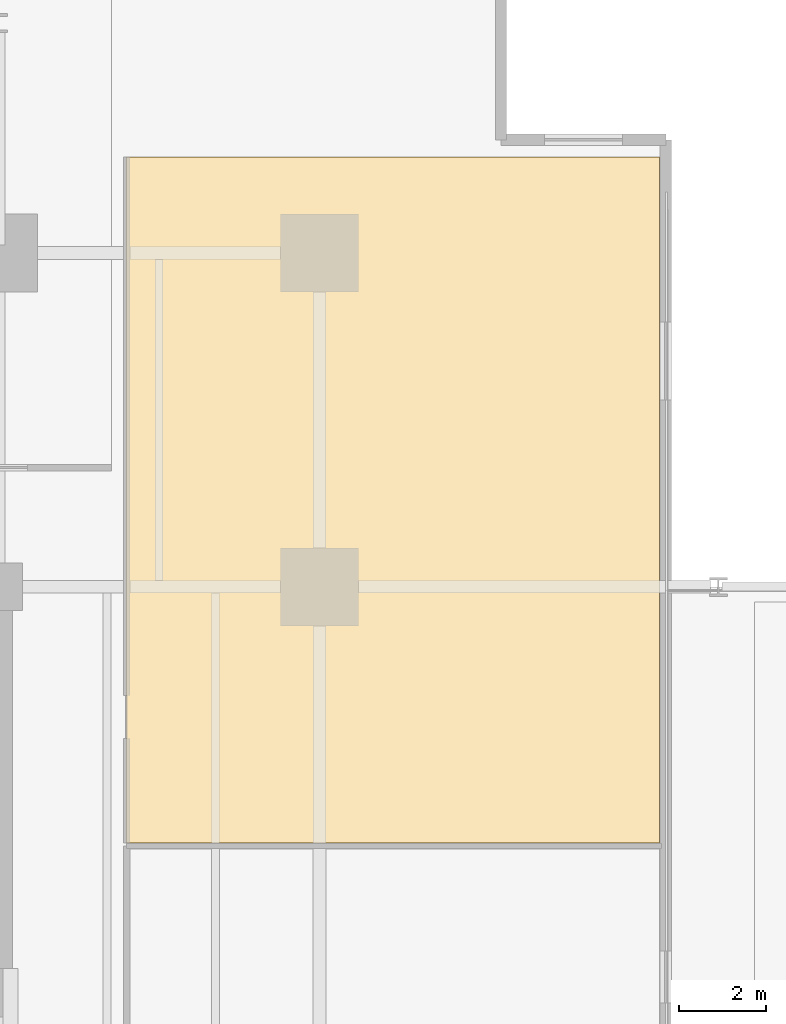
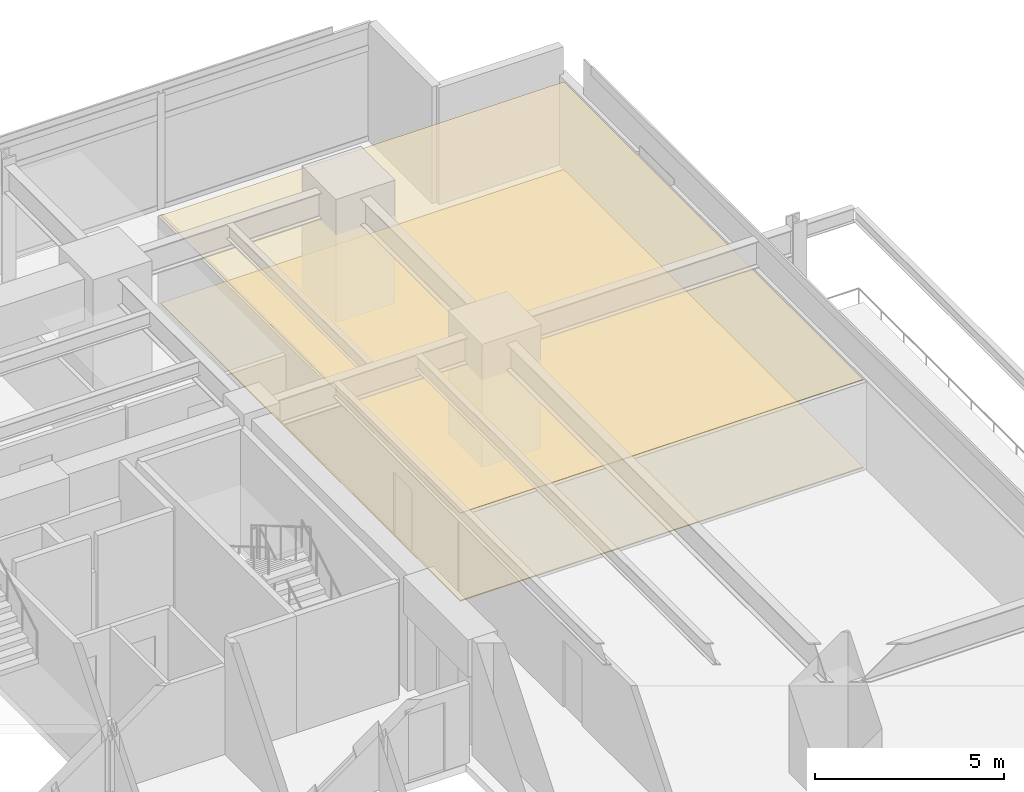
# One storey, part 24 of 24: 2 coverings.
"""IFC4 building model written with IfcOpenShell, lengths in metres."""

import ifcopenshell
import ifcopenshell.guid

model = None  # the IFC model being written
_history = None  # IfcOwnerHistory: only IFC2X3 demands one
_inside = {}  # id of a spatial element -> (the spatial element, [elements in it])
_under = {}  # id of a project, library or spatial element -> (it, [spatial elements below it])
_declared = {}  # id of a project -> (the project, [libraries it declares])
_typed = {}  # id of a type object -> (the type object, [elements of that type])
_made_of = {}  # id of a material, layer set ... -> (it, [elements and type objects made of it])


def new_model(schema):
    """Start an empty IFC model of exactly this schema.

    Asked for "IFC4X3", IfcOpenShell would pick the latest addendum, in which some entities
    have other attributes; the version numbers below select the first issue.
    IFC2X3 requires an IfcOwnerHistory on every rooted entity: one is made here for all.
    """
    global model, _history
    if schema == "IFC4X3":
        model = ifcopenshell.file(schema_version=(4, 3, 0, 0))
    else:
        model = ifcopenshell.file(schema=schema)
    _inside.clear()
    _under.clear()
    _declared.clear()
    _typed.clear()
    _made_of.clear()
    _history = None
    if model.schema == "IFC2X3":
        org = make("IfcOrganization", Name="unknown")
        user = make(
            "IfcPersonAndOrganization",
            ThePerson=make("IfcPerson", FamilyName="unknown"),
            TheOrganization=org,
        )
        app = make(
            "IfcApplication",
            ApplicationDeveloper=org,
            Version="unknown",
            ApplicationFullName="unknown",
            ApplicationIdentifier="unknown",
        )
        _history = make(
            "IfcOwnerHistory",
            OwningUser=user,
            OwningApplication=app,
            ChangeAction="ADDED",
            CreationDate=0,
        )
    return model


def make(cls, **values):
    """One entity of the class cls with the attributes given. An attribute that is None is left unset."""
    return model.create_entity(
        cls, **{name: value for name, value in values.items() if value is not None}
    )


def rooted(cls, **values):
    """An entity with a GlobalId (a new one), such as an element, a storey or a relation."""
    return make(cls, GlobalId=ifcopenshell.guid.new(), OwnerHistory=_history, **values)


def si_unit(unit_type, name, prefix=None):
    """IfcSIUnit, for example si_unit("LENGTHUNIT", "METRE", prefix="MILLI")."""
    return make("IfcSIUnit", UnitType=unit_type, Prefix=prefix, Name=name)


def assignment(units):
    """IfcUnitAssignment: the units of a project."""
    return None if units is None else make("IfcUnitAssignment", Units=units)


def point(xyz):
    """IfcCartesianPoint."""
    return None if xyz is None else make("IfcCartesianPoint", Coordinates=xyz)


def direction(xyz):
    """IfcDirection."""
    return None if xyz is None else make("IfcDirection", DirectionRatios=xyz)


def frame(location, z_axis=None, x_axis=None):
    """IfcAxis2Placement3D, a coordinate frame: its origin and axes. An axis left out is left unset."""
    return make(
        "IfcAxis2Placement3D",
        Location=point(location),
        Axis=direction(z_axis),
        RefDirection=direction(x_axis),
    )


def origin():
    """The frame at (0, 0, 0) with its axes left unset."""
    return frame((0.0, 0.0, 0.0))


def place(relative_to, where):
    """IfcLocalPlacement: puts the frame where relative to a parent placement (None: the world)."""
    return make(
        "IfcLocalPlacement", PlacementRelTo=relative_to, RelativePlacement=where
    )


def context(
    kind, dimensions, precision=None, world=None, true_north=None, identifier=None
):
    """IfcGeometricRepresentationContext, for example the 3D "Model" context."""
    return make(
        "IfcGeometricRepresentationContext",
        ContextIdentifier=identifier,
        ContextType=kind,
        CoordinateSpaceDimension=dimensions,
        Precision=precision,
        WorldCoordinateSystem=world,
        TrueNorth=true_north,
    )


def subcontext(parent, identifier, kind, view, scale=None):
    """IfcGeometricRepresentationSubContext, for example "Body" below "Model"."""
    return make(
        "IfcGeometricRepresentationSubContext",
        ContextIdentifier=identifier,
        ContextType=kind,
        ParentContext=parent,
        TargetScale=scale,
        TargetView=view,
    )


def project(units=None, contexts=None):
    """IfcProject with its units and contexts."""
    return rooted(
        "IfcProject",
        Name="project",
        RepresentationContexts=contexts,
        UnitsInContext=assignment(units),
    )


def spatial(cls, under=None, at=None, **own):
    """A site, building, storey or space (cls), placed at a placement, below another one or the project."""
    s = rooted(cls, ObjectPlacement=at, **own)
    if under is not None:
        _under.setdefault(under.id(), (under, []))[1].append(s)
    return s


def polyline(points):
    """IfcPolyline through the points."""
    return make("IfcPolyline", Points=[point(p) for p in points])


def outline(outer, holes=None, kind="AREA"):
    """IfcArbitraryClosedProfileDef: a profile drawn as a closed curve; with holes, ...WithVoids."""
    if holes is None:
        return make("IfcArbitraryClosedProfileDef", ProfileType=kind, OuterCurve=outer)
    return make(
        "IfcArbitraryProfileDefWithVoids",
        ProfileType=kind,
        OuterCurve=outer,
        InnerCurves=holes,
    )


def extrude(swept, where, along, depth):
    """IfcExtrudedAreaSolid: the profile swept, set in the frame where, extruded along a direction by depth."""
    return make(
        "IfcExtrudedAreaSolid",
        SweptArea=swept,
        Position=where,
        ExtrudedDirection=direction(along),
        Depth=depth,
    )


def shape(context_of_items, identifier, shape_type, items):
    """IfcShapeRepresentation: the items that make up one representation, for example the "Body"."""
    return make(
        "IfcShapeRepresentation",
        ContextOfItems=context_of_items,
        RepresentationIdentifier=identifier,
        RepresentationType=shape_type,
        Items=items,
    )


def material(Name=None, Category=None):
    """IfcMaterial."""
    return make("IfcMaterial", Name=Name, Category=Category)


def layer(
    of_material, thickness, ventilated=None, Name=None, Category=None, Priority=None
):
    """IfcMaterialLayer: one layer of a wall or slab, of a material (None: an air gap)."""
    return make(
        "IfcMaterialLayer",
        Material=of_material,
        LayerThickness=thickness,
        IsVentilated=ventilated,
        Name=Name,
        Category=Category,
        Priority=Priority,
    )


def layer_set(layers, Name=None):
    """IfcMaterialLayerSet."""
    return make("IfcMaterialLayerSet", MaterialLayers=layers, LayerSetName=Name)


def made_of(thing, what):
    """Note that an element or type object is made of a material, layer set ...; save() writes the relation."""
    if what is not None:
        _made_of.setdefault(what.id(), (what, []))[1].append(thing)
    return thing


def type_object(cls, material=None, **own):
    """A type object (cls), such as IfcWallType, which elements share."""
    return made_of(rooted(cls, **own), material)


def element(
    cls,
    number,
    at=None,
    inside=None,
    cuts=None,
    type_object=None,
    material=None,
    context=None,
    identifier="Body",
    shape_type=None,
    held_by="IfcProductDefinitionShape",
    body=None,
    shapes=None,
    **own,
):
    """One element of the class cls, such as IfcWall. Its Tag is "e" and its number.

    at: its placement. inside: the storey or other place that contains it. cuts: it is an
    opening in that element (IfcRelVoidsElement). A single representation is given by context,
    identifier, shape_type and body (its items); several are given by shapes. held_by: the class
    of the entity that holds the representations. save() writes the other relations.
    """
    e = rooted(cls, Tag="e%d" % number, ObjectPlacement=at, **own)
    if body is not None:
        shapes = [shape(context, identifier, shape_type, body)]
    if shapes is not None:
        e.Representation = make(held_by, Representations=shapes)
    if inside is not None:
        _inside.setdefault(inside.id(), (inside, []))[1].append(e)
    if cuts is not None:
        rooted(
            "IfcRelVoidsElement", RelatingBuildingElement=cuts, RelatedOpeningElement=e
        )
    if type_object is not None:
        _typed.setdefault(type_object.id(), (type_object, []))[1].append(e)
    return made_of(e, material)


def aggregate(whole, parts):
    """IfcRelAggregates: a whole, such as a stair, and the parts it consists of."""
    return rooted("IfcRelAggregates", RelatingObject=whole, RelatedObjects=parts)


def save(model, path):
    """Write the relations noted so far, then the file.

    IfcRelAggregates (storeys below a building ...), IfcRelContainedInSpatialStructure (elements
    in a storey), IfcRelDefinesByType, IfcRelAssociatesMaterial and IfcRelDeclares: one each for
    every whole, place, type object, material and project.
    """
    for whole, parts in _under.values():
        aggregate(whole, parts)
    for where, things in _inside.values():
        rooted(
            "IfcRelContainedInSpatialStructure",
            RelatedElements=things,
            RelatingStructure=where,
        )
    for kind, things in _typed.values():
        rooted("IfcRelDefinesByType", RelatedObjects=things, RelatingType=kind)
    for what, things in _made_of.values():
        rooted("IfcRelAssociatesMaterial", RelatedObjects=things, RelatingMaterial=what)
    for by, libraries in _declared.values():
        rooted("IfcRelDeclares", RelatingContext=by, RelatedDefinitions=libraries)
    model.write(path)


model = new_model("IFC4")

# Units and contexts
model_context = context("Model", 3, precision=1e-05, world=origin(), true_north=direction((0.0, 1.0)))
body_context = subcontext(model_context, "Body", "Model", "MODEL_VIEW")
ifc_project = project(units=[si_unit("LENGTHUNIT", "METRE"), si_unit("AREAUNIT", "SQUARE_METRE"), si_unit("VOLUMEUNIT", "CUBIC_METRE"), si_unit("PLANEANGLEUNIT", "RADIAN"), si_unit("MASSUNIT", "GRAM", prefix="KILO")], contexts=[model_context])

# Site, building, storey
site_placement = place(None, origin())
site = spatial("IfcSite", under=ifc_project, at=site_placement, CompositionType="ELEMENT")
building_placement = place(site_placement, origin())
building = spatial("IfcBuilding", under=site, at=building_placement, Name="Kovane Verandah Tower", CompositionType="ELEMENT")
storey_placement = place(building_placement, frame((0.0, 0.0, 95.60009765625)))
storey = spatial("IfcBuildingStorey", under=building, at=storey_placement, Name="L22", CompositionType="ELEMENT", Elevation=95.60009765625)

# Coverings
ifc_material_1 = material(Name="Perforated Acoustic Mineral-Fibre Ceiling Tile", Category="gypsum")
ifc_layer_1 = layer(ifc_material_1, 0.02490234375)
ifc_layer_set_1 = layer_set([ifc_layer_1], Name="Perforated Acoustic Mineral-Fibre Ceiling Tile")
covering_type_1 = type_object("IfcCoveringType", Name="CV-CEIL-25", PredefinedType="CEILING", material=ifc_layer_set_1)
covering_1_placement = place(storey_placement, frame((0.0, 0.0, 2.824951171875)))
element("IfcCovering", 1, at=covering_1_placement, inside=storey, type_object=covering_type_1, Name="L22 Open Plan Office E2 Acoustic Ceiling", PredefinedType="CEILING", context=body_context, shape_type="SweptSolid", body=[
    extrude(outline(polyline([(53.949951171875, 30.595703125), (66.237060546875, 30.595703125), (66.237060546875, 46.410888671875), (53.949951171875, 46.410888671875), (53.949951171875, 30.595703125)])), origin(), (0.0, 0.0, 1.0), 0.02490234375),
])
ifc_material_2 = material(Name="Polished Terrazzo and Raised-Access Carpet Tile Finish", Category="concrete")
ifc_layer_2 = layer(ifc_material_2, 0.030029296875)
ifc_layer_set_2 = layer_set([ifc_layer_2], Name="Polished Terrazzo and Raised-Access Carpet Tile Finish")
covering_type_2 = type_object("IfcCoveringType", Name="CV-FLOR-30", PredefinedType="FLOORING", material=ifc_layer_set_2)
covering_2_placement = place(storey_placement, origin())
element("IfcCovering", 2, at=covering_2_placement, inside=storey, type_object=covering_type_2, Name="L22 Open Plan Office E2 Floor Finish", PredefinedType="FLOORING", context=body_context, shape_type="SweptSolid", body=[
    extrude(outline(polyline([(53.949951171875, 30.595703125), (66.237060546875, 30.595703125), (66.237060546875, 46.410888671875), (53.949951171875, 46.410888671875), (53.949951171875, 30.595703125)])), origin(), (0.0, 0.0, 1.0), 0.02978515625),
])

save(model, "model.ifc")
